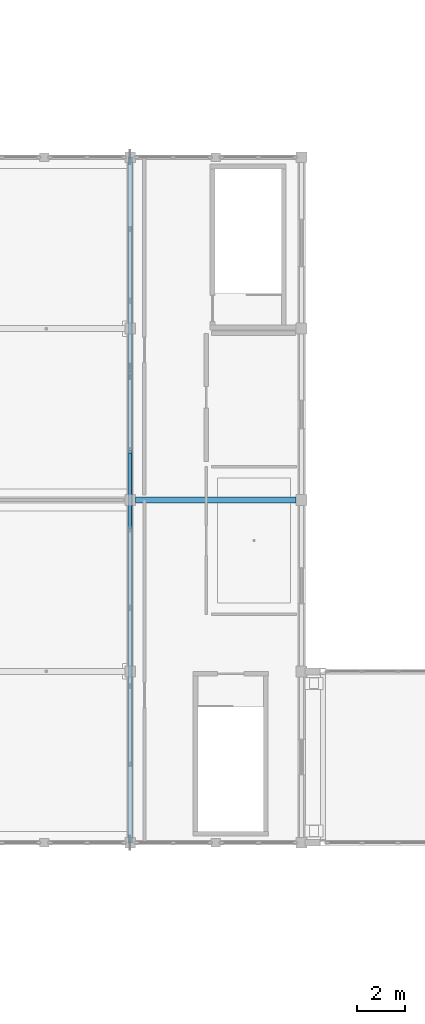
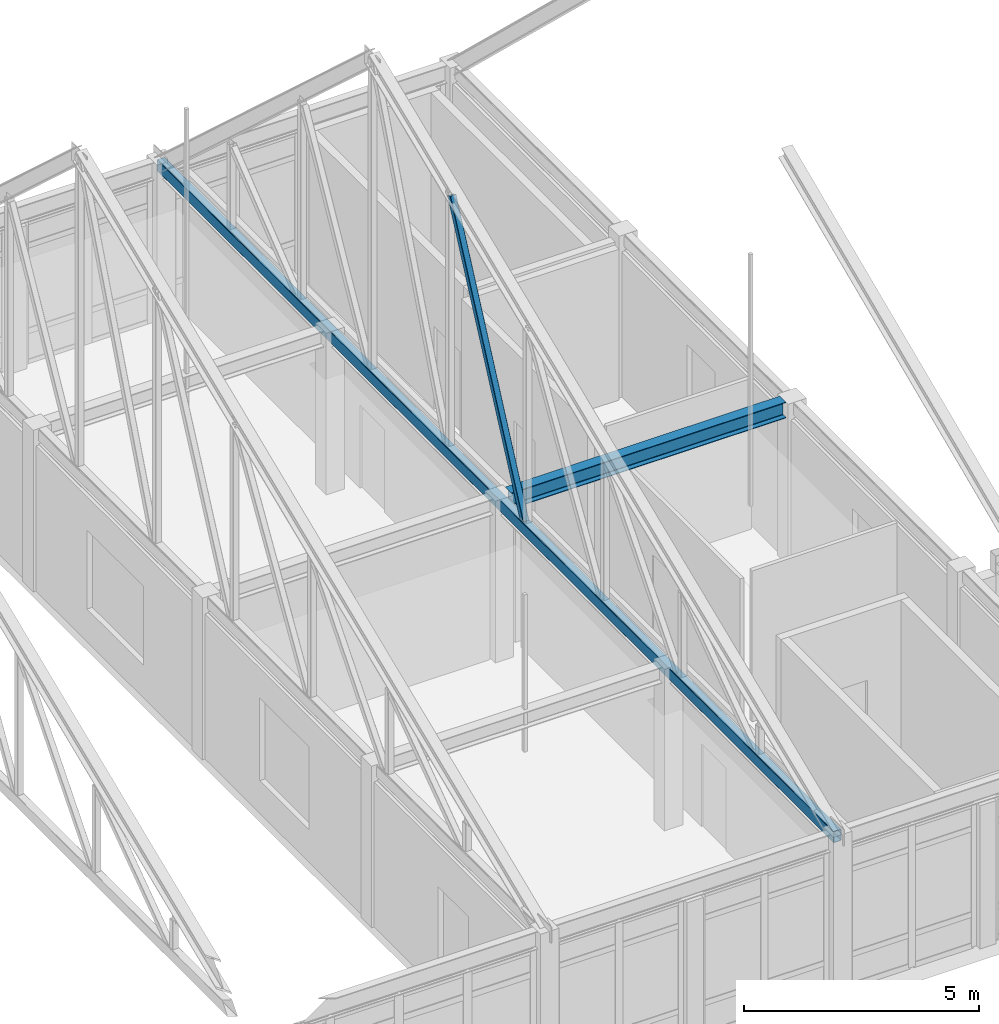
# One storey, part 36 of 136: 2 members, 1 beam.
"""IFC4 building model written with IfcOpenShell, lengths in metres."""

from ifc_helpers import new_model, si_unit, direction, frame, origin, origin_2d, place, context, subcontext, project, spatial, hollow_rectangle, i_section, extrude, material, material_profile, profile_set, type_object, element, save


model = new_model("IFC4")

# Units and contexts
model_context = context("Model", 3, precision=1e-05, world=origin(), true_north=direction((0.0, 1.0)))
body_context = subcontext(model_context, "Body", "Model", "MODEL_VIEW")
ifc_project = project(units=[si_unit("LENGTHUNIT", "METRE"), si_unit("AREAUNIT", "SQUARE_METRE"), si_unit("VOLUMEUNIT", "CUBIC_METRE"), si_unit("PLANEANGLEUNIT", "RADIAN"), si_unit("MASSUNIT", "GRAM", prefix="KILO")], contexts=[model_context])

# Site, building, storey
site_placement = place(None, origin())
site = spatial("IfcSite", under=ifc_project, at=site_placement, CompositionType="ELEMENT")
building_placement = place(site_placement, origin())
building = spatial("IfcBuilding", under=site, at=building_placement, Name="Koriwan Promenade Central Fire Station", CompositionType="ELEMENT")
storey_placement = place(building_placement, frame((0.0, 0.0, 5.39990234375)))
storey = spatial("IfcBuildingStorey", under=building, at=storey_placement, Name="L01", CompositionType="ELEMENT", Elevation=5.39990234375)

# Members
ifc_material_1 = material(Name="Steel ASTM A500 Grade C", Category="steel")
ifc_material_profile_1 = material_profile(ifc_material_1, hollow_rectangle(XDim=0.199951171875, YDim=0.300048828125, WallThickness=0.011962890625, InnerFilletRadius=0.011962890625, OuterFilletRadius=0.02392578125, at=origin_2d()), Name="HSS300x200x12")
ifc_profile_set_1 = profile_set([ifc_material_profile_1], Name="Steel ASTM A500 Grade C")
member_type_1 = type_object("IfcMemberType", Name="Member_CHORD_HSS300x200x12", PredefinedType="CHORD", material=ifc_profile_set_1)
member_1_placement = place(storey_placement, frame((108.0, 43.199951171875, 4.02001953125), z_axis=(0.0, 1.0, 0.0), x_axis=(-1.0, 0.0, 0.0)))
element("IfcMember", 1, at=member_1_placement, inside=storey, type_object=member_type_1, Name="TR_V1_08 bottom tie chord", PredefinedType="CHORD", context=body_context, shape_type="SweptSolid", body=[
    extrude(hollow_rectangle(XDim=0.199951171875, YDim=0.300048828125, WallThickness=0.011962890625, InnerFilletRadius=0.011962890625, OuterFilletRadius=0.02392578125, at=origin_2d()), origin(), (0.0, 0.0, 1.0), 28.800048828125),
])
ifc_material_profile_2 = material_profile(ifc_material_1, hollow_rectangle(XDim=0.14990234375, YDim=0.14990234375, WallThickness=0.008056640625, InnerFilletRadius=0.008056640625, OuterFilletRadius=0.01611328125, at=origin_2d()), Name="HSS150x150x8")
ifc_profile_set_2 = profile_set([ifc_material_profile_2], Name="Steel ASTM A500 Grade C")
member_type_2 = type_object("IfcMemberType", Name="Member_STRUT_HSS150x150x8", PredefinedType="STRUT", material=ifc_profile_set_2)
member_2_placement = place(storey_placement, frame((108.0, 56.47998046875, 4.070068359375), z_axis=(0.0, 0.426803552064, 0.904344363583), x_axis=(-1.0, 0.0, 0.0)))
element("IfcMember", 2, at=member_2_placement, inside=storey, type_object=member_type_2, Name="TR_V1_08 web diagonal 5", PredefinedType="STRUT", context=body_context, shape_type="SweptSolid", body=[
    extrude(hollow_rectangle(XDim=0.14990234375, YDim=0.14990234375, WallThickness=0.008056640625, InnerFilletRadius=0.008056640625, OuterFilletRadius=0.01611328125, at=origin_2d()), origin(), (0.0, 0.0, 1.0), 7.357421875),
])

# Beam
ifc_material_2 = material(Name="Steel ASTM A992 Grade 50", Category="steel")
ifc_material_profile_3 = material_profile(ifc_material_2, i_section(OverallWidth=0.260009765625, OverallDepth=0.4150390625, WebThickness=0.010009765625, FlangeThickness=0.016845703125, FilletRadius=0.01611328125, at=origin_2d()), Name="W410x100")
ifc_profile_set_3 = profile_set([ifc_material_profile_3], Name="Steel ASTM A992 Grade 50")
beam_type = type_object("IfcBeamType", Name="SteelBeam_W410x100", PredefinedType="BEAM", material=ifc_profile_set_3)
beam_placement = place(storey_placement, frame((108.22509765625, 57.60009765625, 3.99267578125), z_axis=(1.0, 0.0, 0.0), x_axis=(0.0, 1.0, 0.0)))
element("IfcBeam", 3, at=beam_placement, inside=storey, type_object=beam_type, Name="V1 L01 girder X-52", PredefinedType="BEAM", context=body_context, shape_type="SweptSolid", body=[
    extrude(i_section(OverallWidth=0.260009765625, OverallDepth=0.4150390625, WebThickness=0.010009765625, FlangeThickness=0.016845703125, FilletRadius=0.01611328125, at=origin_2d()), origin(), (0.0, 0.0, 1.0), 6.75),
])

save(model, "model.ifc")
